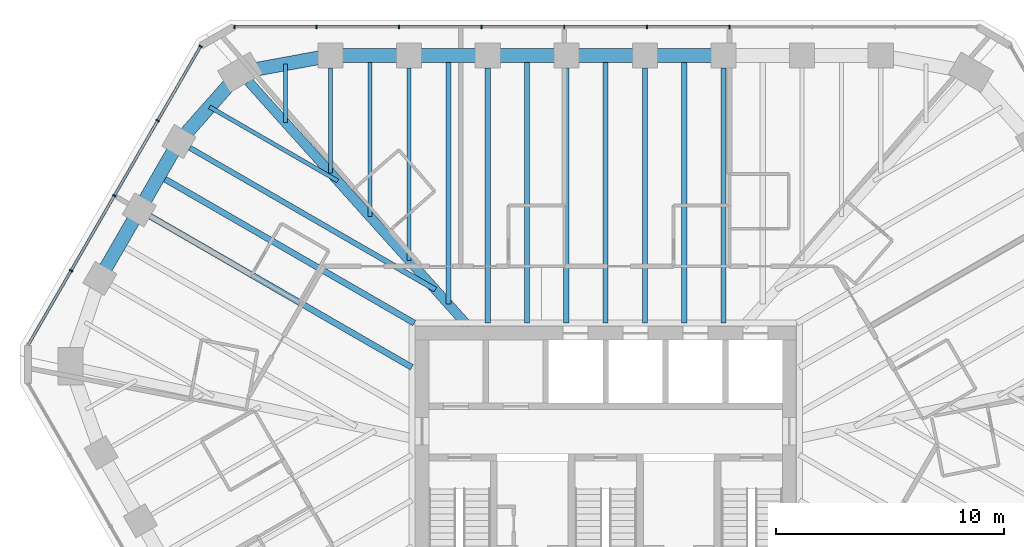
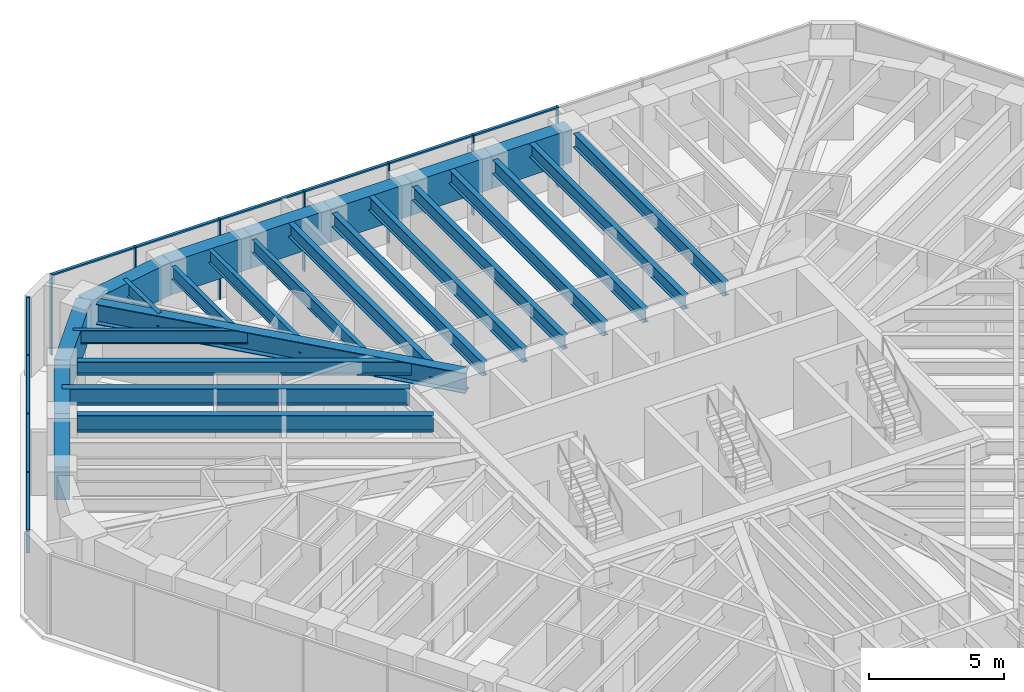
# One storey, part 6 of 14: 26 beams, 21 members, 2 elements without a shape of their own.
"""IFC4 building model written with IfcOpenShell, lengths in metres."""

from ifc_helpers import new_model, si_unit, direction, frame, origin, origin_2d, place, context, subcontext, project, spatial, rectangle, i_section, extrude, material, material_profile, profile_set, type_object, element, aggregate, save


model = new_model("IFC4")

# Units and contexts
model_context = context("Model", 3, precision=1e-05, world=origin(), true_north=direction((0.0, 1.0)))
body_context = subcontext(model_context, "Body", "Model", "MODEL_VIEW")
ifc_project = project(units=[si_unit("LENGTHUNIT", "METRE"), si_unit("AREAUNIT", "SQUARE_METRE"), si_unit("VOLUMEUNIT", "CUBIC_METRE"), si_unit("PLANEANGLEUNIT", "RADIAN"), si_unit("MASSUNIT", "GRAM", prefix="KILO")], contexts=[model_context])

# Site, building, storey
site_placement = place(None, origin())
site = spatial("IfcSite", under=ifc_project, at=site_placement, CompositionType="ELEMENT")
building_placement = place(site_placement, origin())
building = spatial("IfcBuilding", under=site, at=building_placement, Name="Sandreach Pilgrim Tower", CompositionType="ELEMENT")
storey_placement = place(building_placement, frame((0.0, 0.0, 279.800048828125)))
storey = spatial("IfcBuildingStorey", under=building, at=storey_placement, Name="L70", CompositionType="ELEMENT", Elevation=279.800048828125)

# Curtain wall, members
ifc_material_1 = material(Name="Aluminium framed curtain wall", Category="aluminium")
curtain_wall_type = type_object("IfcCurtainWallType", Name="Suite tower curtain wall", PredefinedType="NOTDEFINED", material=ifc_material_1)
curtain_wall_1_placement = place(storey_placement, origin())
curtain_wall_1 = element("IfcCurtainWall", 1, at=curtain_wall_1_placement, inside=storey, type_object=curtain_wall_type, Name="CW-4 L70 N", PredefinedType="NOTDEFINED")
ifc_material_2 = material(Name="Aluminium extrusion", Category="aluminium")
ifc_material_profile_1 = material_profile(ifc_material_2, rectangle(XDim=0.06005859375, YDim=0.159912109375, at=origin_2d()), Name="CW-4M 60X160")
ifc_profile_set_1 = profile_set([ifc_material_profile_1], Name="Aluminium extrusion")
member_type_1 = type_object("IfcMemberType", Name="CW-4 mullion", PredefinedType="MULLION", material=ifc_profile_set_1)
member_1_placement = place(storey_placement, frame((-16.268310546875, 19.826416015625, 0.0), z_axis=(0.0, 0.0, 1.0), x_axis=(1.0, 0.0, 0.0)))
member_1 = element("IfcMember", 2, at=member_1_placement, type_object=member_type_1, Name="CW-4 mullion 1", PredefinedType="MULLION", context=body_context, shape_type="SweptSolid", body=[
    extrude(rectangle(XDim=0.06005859375, YDim=0.159912109375, at=origin_2d()), origin(), (0.0, 0.0, 1.0), 3.639892578125),
])
member_2_placement = place(storey_placement, frame((-12.676513671875, 19.826416015625, 0.0), z_axis=(0.0, 0.0, 1.0), x_axis=(1.0, 0.0, 0.0)))
member_2 = element("IfcMember", 3, at=member_2_placement, type_object=member_type_1, Name="CW-4 mullion 2", PredefinedType="MULLION", context=body_context, shape_type="SweptSolid", body=[
    extrude(rectangle(XDim=0.06005859375, YDim=0.159912109375, at=origin_2d()), origin(), (0.0, 0.0, 1.0), 3.639892578125),
])
member_3_placement = place(storey_placement, frame((-9.0546875, 19.826416015625, 0.0), z_axis=(0.0, 0.0, 1.0), x_axis=(1.0, 0.0, 0.0)))
member_3 = element("IfcMember", 4, at=member_3_placement, type_object=member_type_1, Name="CW-4 mullion 3", PredefinedType="MULLION", context=body_context, shape_type="SweptSolid", body=[
    extrude(rectangle(XDim=0.06005859375, YDim=0.159912109375, at=origin_2d()), origin(), (0.0, 0.0, 1.0), 3.639892578125),
])
member_4_placement = place(storey_placement, frame((-5.432861328125, 19.826416015625, 0.0), z_axis=(0.0, 0.0, 1.0), x_axis=(1.0, 0.0, 0.0)))
member_4 = element("IfcMember", 5, at=member_4_placement, type_object=member_type_1, Name="CW-4 mullion 4", PredefinedType="MULLION", context=body_context, shape_type="SweptSolid", body=[
    extrude(rectangle(XDim=0.06005859375, YDim=0.159912109375, at=origin_2d()), origin(), (0.0, 0.0, 1.0), 3.639892578125),
])
member_5_placement = place(storey_placement, frame((-1.81103515625, 19.826416015625, 0.0), z_axis=(0.0, 0.0, 1.0), x_axis=(1.0, 0.0, 0.0)))
member_5 = element("IfcMember", 6, at=member_5_placement, type_object=member_type_1, Name="CW-4 mullion 5", PredefinedType="MULLION", context=body_context, shape_type="SweptSolid", body=[
    extrude(rectangle(XDim=0.06005859375, YDim=0.159912109375, at=origin_2d()), origin(), (0.0, 0.0, 1.0), 3.639892578125),
])
member_6_placement = place(storey_placement, frame((1.81103515625, 19.826416015625, 0.0), z_axis=(0.0, 0.0, 1.0), x_axis=(1.0, 0.0, 0.0)))
member_6 = element("IfcMember", 7, at=member_6_placement, type_object=member_type_1, Name="CW-4 mullion 6", PredefinedType="MULLION", context=body_context, shape_type="SweptSolid", body=[
    extrude(rectangle(XDim=0.06005859375, YDim=0.159912109375, at=origin_2d()), origin(), (0.0, 0.0, 1.0), 3.639892578125),
])
member_7_placement = place(storey_placement, frame((5.432861328125, 19.826416015625, 0.0), z_axis=(0.0, 0.0, 1.0), x_axis=(1.0, 0.0, 0.0)))
member_7 = element("IfcMember", 8, at=member_7_placement, type_object=member_type_1, Name="CW-4 mullion 7", PredefinedType="MULLION", context=body_context, shape_type="SweptSolid", body=[
    extrude(rectangle(XDim=0.06005859375, YDim=0.159912109375, at=origin_2d()), origin(), (0.0, 0.0, 1.0), 3.639892578125),
])

curtain_wall_2_placement = place(storey_placement, origin())
curtain_wall_2 = element("IfcCurtainWall", 9, at=curtain_wall_2_placement, inside=storey, type_object=curtain_wall_type, Name="CW-4 L70 NW", PredefinedType="NOTDEFINED")
member_8_placement = place(storey_placement, frame((-23.423583984375, 9.145263671875, 0.0), z_axis=(0.0, 0.0, 1.0), x_axis=(0.5, 0.866025403784, 0.0)))
member_8 = element("IfcMember", 10, at=member_8_placement, type_object=member_type_1, Name="CW-4 mullion 2", PredefinedType="MULLION", context=body_context, shape_type="SweptSolid", body=[
    extrude(rectangle(XDim=0.06005859375, YDim=0.159912109375, at=origin_2d()), origin(), (0.0, 0.0, 1.0), 3.639892578125),
])
member_9_placement = place(storey_placement, frame((-21.527587890625, 12.428955078125, 0.0), z_axis=(0.0, 0.0, 1.0), x_axis=(0.5, 0.866025403784, 0.0)))
member_9 = element("IfcMember", 11, at=member_9_placement, type_object=member_type_1, Name="CW-4 mullion 3", PredefinedType="MULLION", context=body_context, shape_type="SweptSolid", body=[
    extrude(rectangle(XDim=0.06005859375, YDim=0.159912109375, at=origin_2d()), origin(), (0.0, 0.0, 1.0), 3.639892578125),
])
member_10_placement = place(storey_placement, frame((-19.6318359375, 15.712646484375, 0.0), z_axis=(0.0, 0.0, 1.0), x_axis=(0.5, 0.866025403784, 0.0)))
member_10 = element("IfcMember", 12, at=member_10_placement, type_object=member_type_1, Name="CW-4 mullion 4", PredefinedType="MULLION", context=body_context, shape_type="SweptSolid", body=[
    extrude(rectangle(XDim=0.06005859375, YDim=0.159912109375, at=origin_2d()), origin(), (0.0, 0.0, 1.0), 3.639892578125),
])
member_11_placement = place(storey_placement, frame((-17.7509765625, 18.970458984375, 0.0), z_axis=(0.0, 0.0, 1.0), x_axis=(0.5, 0.866025403784, 0.0)))
member_11 = element("IfcMember", 13, at=member_11_placement, type_object=member_type_1, Name="CW-4 mullion 5", PredefinedType="MULLION", context=body_context, shape_type="SweptSolid", body=[
    extrude(rectangle(XDim=0.06005859375, YDim=0.159912109375, at=origin_2d()), origin(), (0.0, 0.0, 1.0), 3.639892578125),
])

# Member
ifc_material_3 = material(Name="Aluminium extrusion", Category="aluminium")
ifc_material_profile_2 = material_profile(ifc_material_3, rectangle(XDim=0.1201171875, YDim=0.070068359375, at=origin_2d()), Name="CW-4T 120X70")
ifc_profile_set_2 = profile_set([ifc_material_profile_2], Name="Aluminium extrusion")
member_type_2 = type_object("IfcMemberType", Name="CW-4 transom", PredefinedType="USERDEFINED", material=ifc_profile_set_2)
member_12_placement = place(storey_placement, frame((-16.23828125, 19.826416015625, 3.60498046875), z_axis=(1.0, 0.0, 0.0), x_axis=(0.0, 1.0, 0.0)))
member_12 = element("IfcMember", 14, at=member_12_placement, type_object=member_type_2, Name="CW-4 head transom 1", ObjectType="TRANSOM", PredefinedType="USERDEFINED", context=body_context, shape_type="SweptSolid", body=[
    extrude(rectangle(XDim=0.1201171875, YDim=0.070068359375, at=origin_2d()), origin(), (0.0, 0.0, 1.0), 3.53173828125),
])

member_13_placement = place(storey_placement, frame((-12.646484375, 19.826416015625, 3.60498046875), z_axis=(1.0, 0.0, 0.0), x_axis=(0.0, 1.0, 0.0)))
member_13 = element("IfcMember", 15, at=member_13_placement, type_object=member_type_2, Name="CW-4 head transom 2", ObjectType="TRANSOM", PredefinedType="USERDEFINED", context=body_context, shape_type="SweptSolid", body=[
    extrude(rectangle(XDim=0.1201171875, YDim=0.070068359375, at=origin_2d()), origin(), (0.0, 0.0, 1.0), 3.561767578125),
])

member_14_placement = place(storey_placement, frame((-9.024658203125, 19.826416015625, 3.60498046875), z_axis=(1.0, 0.0, 0.0), x_axis=(0.0, 1.0, 0.0)))
member_14 = element("IfcMember", 16, at=member_14_placement, type_object=member_type_2, Name="CW-4 head transom 3", ObjectType="TRANSOM", PredefinedType="USERDEFINED", context=body_context, shape_type="SweptSolid", body=[
    extrude(rectangle(XDim=0.1201171875, YDim=0.070068359375, at=origin_2d()), origin(), (0.0, 0.0, 1.0), 3.561767578125),
])

member_15_placement = place(storey_placement, frame((-5.40283203125, 19.826416015625, 3.60498046875), z_axis=(1.0, 0.0, 0.0), x_axis=(0.0, 1.0, 0.0)))
member_15 = element("IfcMember", 17, at=member_15_placement, type_object=member_type_2, Name="CW-4 head transom 4", ObjectType="TRANSOM", PredefinedType="USERDEFINED", context=body_context, shape_type="SweptSolid", body=[
    extrude(rectangle(XDim=0.1201171875, YDim=0.070068359375, at=origin_2d()), origin(), (0.0, 0.0, 1.0), 3.56201171875),
])

member_16_placement = place(storey_placement, frame((-1.781005859375, 19.826416015625, 3.60498046875), z_axis=(1.0, 0.0, 0.0), x_axis=(0.0, 1.0, 0.0)))
member_16 = element("IfcMember", 18, at=member_16_placement, type_object=member_type_2, Name="CW-4 head transom 5", ObjectType="TRANSOM", PredefinedType="USERDEFINED", context=body_context, shape_type="SweptSolid", body=[
    extrude(rectangle(XDim=0.1201171875, YDim=0.070068359375, at=origin_2d()), origin(), (0.0, 0.0, 1.0), 3.56201171875),
])

member_17_placement = place(storey_placement, frame((1.8408203125, 19.826416015625, 3.60498046875), z_axis=(1.0, 0.0, 0.0), x_axis=(0.0, 1.0, 0.0)))
member_17 = element("IfcMember", 19, at=member_17_placement, type_object=member_type_2, Name="CW-4 head transom 6", ObjectType="TRANSOM", PredefinedType="USERDEFINED", context=body_context, shape_type="SweptSolid", body=[
    extrude(rectangle(XDim=0.1201171875, YDim=0.070068359375, at=origin_2d()), origin(), (0.0, 0.0, 1.0), 3.56201171875),
])

aggregate(curtain_wall_1, [member_1, member_2, member_3, member_4, member_5, member_6, member_7, member_12, member_13, member_14, member_15, member_16, member_17])

member_18_placement = place(storey_placement, frame((-25.289306640625, 5.91357421875, 3.60498046875), z_axis=(0.499990780478, 0.866030726613, 0.0), x_axis=(-0.866030726613, 0.499990780478, 0.0)))
member_18 = element("IfcMember", 20, at=member_18_placement, type_object=member_type_2, Name="CW-4 head transom 1", ObjectType="TRANSOM", PredefinedType="USERDEFINED", context=body_context, shape_type="SweptSolid", body=[
    extrude(rectangle(XDim=0.1201171875, YDim=0.070068359375, at=origin_2d()), origin(), (0.0, 0.0, 1.0), 3.70166015625),
])

member_19_placement = place(storey_placement, frame((-23.408447265625, 9.17138671875, 3.60498046875), z_axis=(0.499981083104, 0.866036325184, 0.0), x_axis=(-0.866036325184, 0.499981083104, 0.0)))
member_19 = element("IfcMember", 21, at=member_19_placement, type_object=member_type_2, Name="CW-4 head transom 2", ObjectType="TRANSOM", PredefinedType="USERDEFINED", context=body_context, shape_type="SweptSolid", body=[
    extrude(rectangle(XDim=0.1201171875, YDim=0.070068359375, at=origin_2d()), origin(), (0.0, 0.0, 1.0), 3.731689453125),
])

member_20_placement = place(storey_placement, frame((-21.5126953125, 12.455078125, 3.60498046875), z_axis=(0.500030151002, 0.866007995396, 0.0), x_axis=(-0.866007995396, 0.500030151002, 0.0)))
member_20 = element("IfcMember", 22, at=member_20_placement, type_object=member_type_2, Name="CW-4 head transom 3", ObjectType="TRANSOM", PredefinedType="USERDEFINED", context=body_context, shape_type="SweptSolid", body=[
    extrude(rectangle(XDim=0.1201171875, YDim=0.070068359375, at=origin_2d()), origin(), (0.0, 0.0, 1.0), 3.731689453125),
])

member_21_placement = place(storey_placement, frame((-19.616943359375, 15.73876953125, 3.60498046875), z_axis=(0.499990780478, 0.866030726613, 0.0), x_axis=(-0.866030726613, 0.499990780478, 0.0)))
member_21 = element("IfcMember", 23, at=member_21_placement, type_object=member_type_2, Name="CW-4 head transom 4", ObjectType="TRANSOM", PredefinedType="USERDEFINED", context=body_context, shape_type="SweptSolid", body=[
    extrude(rectangle(XDim=0.1201171875, YDim=0.070068359375, at=origin_2d()), origin(), (0.0, 0.0, 1.0), 3.70166015625),
])

aggregate(curtain_wall_2, [member_8, member_9, member_10, member_11, member_18, member_19, member_20, member_21])

# Beams
ifc_material_4 = material(Name="Steel ASTM A992 Grade 50", Category="steel")
ifc_material_profile_3 = material_profile(ifc_material_4, i_section(OverallWidth=0.419189453125, OverallDepth=0.927001953125, WebThickness=0.019287109375, FlangeThickness=0.031982421875, at=origin_2d()), Name="W36X231")
ifc_profile_set_3 = profile_set([ifc_material_profile_3], Name="Steel ASTM A992 Grade 50")
beam_type_1 = type_object("IfcBeamType", Name="Corner girder W36X231", PredefinedType="BEAM", material=ifc_profile_set_3)
beam_1_placement = place(storey_placement, frame((-15.649169921875, 17.427978515625, 3.176513671875), z_axis=(0.668114851597, -0.74405815974, 0.0), x_axis=(0.74405815974, 0.668114851597, 0.0)))
element("IfcBeam", 24, at=beam_1_placement, inside=storey, type_object=beam_type_1, Name="BM L70 CG39", PredefinedType="BEAM", context=body_context, shape_type="SweptSolid", body=[
    extrude(i_section(OverallWidth=0.419189453125, OverallDepth=0.927001953125, WebThickness=0.019287109375, FlangeThickness=0.031982421875, at=origin_2d()), origin(), (0.0, 0.0, 1.0), 14.418212890625),
])
ifc_material_5 = material(Name="Steel ASTM A992 Grade 50", Category="steel")
ifc_material_profile_4 = material_profile(ifc_material_5, i_section(OverallWidth=0.1787109375, OverallDepth=0.60205078125, WebThickness=0.010986328125, FlangeThickness=0.014892578125, at=origin_2d()), Name="W24X62")
ifc_profile_set_4 = profile_set([ifc_material_profile_4], Name="Steel ASTM A992 Grade 50")
beam_type_2 = type_object("IfcBeamType", Name="Floor beam W24X62", PredefinedType="BEAM", material=ifc_profile_set_4)
beam_2_placement = place(storey_placement, frame((-12.0576171875, 18.016357421875, 3.3388671875), z_axis=(0.0, -1.0, 0.0), x_axis=(1.0, 0.0, 0.0)))
element("IfcBeam", 25, at=beam_2_placement, inside=storey, type_object=beam_type_2, Name="BM L70 F01", PredefinedType="BEAM", context=body_context, shape_type="SweptSolid", body=[
    extrude(i_section(OverallWidth=0.1787109375, OverallDepth=0.60205078125, WebThickness=0.010986328125, FlangeThickness=0.014892578125, at=origin_2d()), origin(), (0.0, 0.0, 1.0), 4.58837890625),
])
beam_3_placement = place(storey_placement, frame((-8.612548828125, 18.016357421875, 3.3388671875), z_axis=(0.0, -1.0, 0.0), x_axis=(1.0, 0.0, 0.0)))
element("IfcBeam", 26, at=beam_3_placement, inside=storey, type_object=beam_type_2, Name="BM L70 F02", PredefinedType="BEAM", context=body_context, shape_type="SweptSolid", body=[
    extrude(i_section(OverallWidth=0.1787109375, OverallDepth=0.60205078125, WebThickness=0.010986328125, FlangeThickness=0.014892578125, at=origin_2d()), origin(), (0.0, 0.0, 1.0), 8.4248046875),
])
beam_4_placement = place(storey_placement, frame((-10.3349609375, 18.56640625, 3.3388671875), z_axis=(0.0, -1.0, 0.0), x_axis=(1.0, 0.0, 0.0)))
element("IfcBeam", 27, at=beam_4_placement, inside=storey, type_object=beam_type_2, Name="BM L70 FM01", PredefinedType="BEAM", context=body_context, shape_type="SweptSolid", body=[
    extrude(i_section(OverallWidth=0.1787109375, OverallDepth=0.60205078125, WebThickness=0.010986328125, FlangeThickness=0.014892578125, at=origin_2d()), origin(), (0.0, 0.0, 1.0), 7.056640625),
])
beam_5_placement = place(storey_placement, frame((-17.360107421875, 16.31884765625, 3.3388671875), z_axis=(0.866023980233, -0.500002465655, 0.0), x_axis=(0.500002465655, 0.866023980233, 0.0)))
element("IfcBeam", 28, at=beam_5_placement, inside=storey, type_object=beam_type_2, Name="BM L70 FM38", PredefinedType="BEAM", context=body_context, shape_type="SweptSolid", body=[
    extrude(i_section(OverallWidth=0.1787109375, OverallDepth=0.60205078125, WebThickness=0.010986328125, FlangeThickness=0.014892578125, at=origin_2d()), origin(), (0.0, 0.0, 1.0), 6.49072265625),
])
beam_6_placement = place(storey_placement, frame((-14.037109375, 18.201904296875, 3.3388671875), z_axis=(0.0, -1.0, 0.0), x_axis=(1.0, 0.0, 0.0)))
element("IfcBeam", 29, at=beam_6_placement, inside=storey, type_object=beam_type_2, Name="BM L70 FM39", PredefinedType="BEAM", context=body_context, shape_type="SweptSolid", body=[
    extrude(i_section(OverallWidth=0.1787109375, OverallDepth=0.60205078125, WebThickness=0.010986328125, FlangeThickness=0.014892578125, at=origin_2d()), origin(), (0.0, 0.0, 1.0), 2.5693359375),
])
ifc_material_6 = material(Name="Steel ASTM A992 Grade 50", Category="steel")
ifc_material_profile_5 = material_profile(ifc_material_6, i_section(OverallWidth=0.23046875, OverallDepth=0.6171875, WebThickness=0.01318359375, FlangeThickness=0.022216796875, at=origin_2d()), Name="W24X94")
ifc_profile_set_5 = profile_set([ifc_material_profile_5], Name="Steel ASTM A992 Grade 50")
beam_type_3 = type_object("IfcBeamType", Name="Floor beam W24X94", PredefinedType="BEAM", material=ifc_profile_set_5)
for number, where, z_axis, x_axis, name in (
    (30, (-5.16748046875, 18.016357421875, 3.331298828125), (0.0, -1.0, 0.0), (1.0, 0.0, 0.0), "BM L70 F03"),
    (31, (-1.722412109375, 18.016357421875, 3.331298828125), (0.0, -1.0, 0.0), (1.0, 0.0, 0.0), "BM L70 F04"),
    (32, (1.722412109375, 18.016357421875, 3.331298828125), (0.0, -1.0, 0.0), (1.0, 0.0, 0.0), "BM L70 F05"),
    (33, (5.16748046875, 18.016357421875, 3.331298828125), (0.0, -1.0, 0.0), (1.0, 0.0, 0.0), "BM L70 F06"),
):
    element("IfcBeam", number, at=place(storey_placement, frame(where, z_axis=z_axis, x_axis=x_axis)), inside=storey, type_object=beam_type_3, Name=name, PredefinedType="BEAM", context=body_context, shape_type="SweptSolid", body=[
        extrude(i_section(OverallWidth=0.23046875, OverallDepth=0.6171875, WebThickness=0.01318359375, FlangeThickness=0.022216796875, at=origin_2d()), origin(), (0.0, 0.0, 1.0), 11.173095703125),
    ])
beam_7_placement = place(storey_placement, frame((-18.227294921875, 14.525390625, 3.331298828125), z_axis=(0.866020427415, -0.500008619226, 0.0), x_axis=(0.500008619226, 0.866020427415, 0.0)))
element("IfcBeam", 34, at=beam_7_placement, inside=storey, type_object=beam_type_3, Name="BM L70 F38", PredefinedType="BEAM", context=body_context, shape_type="SweptSolid", body=[
    extrude(i_section(OverallWidth=0.23046875, OverallDepth=0.6171875, WebThickness=0.01318359375, FlangeThickness=0.022216796875, at=origin_2d()), origin(), (0.0, 0.0, 1.0), 12.431396484375),
])
beam_8_placement = place(storey_placement, frame((-6.89013671875, 18.56640625, 3.331298828125), z_axis=(0.0, -1.0, 0.0), x_axis=(1.0, 0.0, 0.0)))
element("IfcBeam", 35, at=beam_8_placement, inside=storey, type_object=beam_type_3, Name="BM L70 FM02", PredefinedType="BEAM", context=body_context, shape_type="SweptSolid", body=[
    extrude(i_section(OverallWidth=0.23046875, OverallDepth=0.6171875, WebThickness=0.01318359375, FlangeThickness=0.022216796875, at=origin_2d()), origin(), (0.0, 0.0, 1.0), 10.893310546875),
])
for number, where, z_axis, x_axis, name in (
    (36, (-3.445068359375, 18.56640625, 3.331298828125), (0.0, -1.0, 0.0), (1.0, 0.0, 0.0), "BM L70 FM03"),
    (37, (0.0, 18.56640625, 3.331298828125), (0.0, -1.0, 0.0), (1.0, 0.0, 0.0), "BM L70 FM04"),
    (38, (3.445068359375, 18.56640625, 3.331298828125), (0.0, -1.0, 0.0), (1.0, 0.0, 0.0), "BM L70 FM05"),
):
    element("IfcBeam", number, at=place(storey_placement, frame(where, z_axis=z_axis, x_axis=x_axis)), inside=storey, type_object=beam_type_3, Name=name, PredefinedType="BEAM", context=body_context, shape_type="SweptSolid", body=[
        extrude(i_section(OverallWidth=0.23046875, OverallDepth=0.6171875, WebThickness=0.01318359375, FlangeThickness=0.022216796875, at=origin_2d()), origin(), (0.0, 0.0, 1.0), 11.72314453125),
    ])
ifc_material_7 = material(Name="Steel ASTM A992 Grade 50", Category="steel")
ifc_material_profile_6 = material_profile(ifc_material_7, i_section(OverallWidth=0.2666015625, OverallDepth=0.761962890625, WebThickness=0.014404296875, FlangeThickness=0.021484375, at=origin_2d()), Name="W30X116")
ifc_profile_set_6 = profile_set([ifc_material_profile_6], Name="Steel ASTM A992 Grade 50")
beam_type_4 = type_object("IfcBeamType", Name="Floor beam W30X116", PredefinedType="BEAM", material=ifc_profile_set_6)
beam_9_placement = place(storey_placement, frame((-19.960205078125, 11.52392578125, 3.259033203125), z_axis=(0.86602530353, -0.500000173646, 0.0), x_axis=(0.500000173646, 0.86602530353, 0.0)))
element("IfcBeam", 39, at=beam_9_placement, inside=storey, type_object=beam_type_4, Name="BM L70 F37", PredefinedType="BEAM", context=body_context, shape_type="SweptSolid", body=[
    extrude(i_section(OverallWidth=0.2666015625, OverallDepth=0.761962890625, WebThickness=0.014404296875, FlangeThickness=0.021484375, at=origin_2d()), origin(), (0.0, 0.0, 1.0), 13.24072265625),
])
beam_10_placement = place(storey_placement, frame((-19.570068359375, 13.299560546875, 3.259033203125), z_axis=(0.866025008595, -0.500000684488, 0.0), x_axis=(0.500000684488, 0.866025008595, 0.0)))
element("IfcBeam", 40, at=beam_10_placement, inside=storey, type_object=beam_type_4, Name="BM L70 FM37", PredefinedType="BEAM", context=body_context, shape_type="SweptSolid", body=[
    extrude(i_section(OverallWidth=0.2666015625, OverallDepth=0.761962890625, WebThickness=0.014404296875, FlangeThickness=0.021484375, at=origin_2d()), origin(), (0.0, 0.0, 1.0), 12.91259765625),
])
ifc_material_8 = material(Name="Concrete 10000 psi", Category="concrete")
ifc_material_profile_7 = material_profile(ifc_material_8, rectangle(XDim=0.60009765625, YDim=1.5, at=origin_2d()), Name="RC600X1500")
ifc_profile_set_7 = profile_set([ifc_material_profile_7], Name="Concrete 10000 psi")
beam_type_5 = type_object("IfcBeamType", Name="Spandrel beam RC600X1500", PredefinedType="SPANDREL", material=ifc_profile_set_7)
for number, where, z_axis, x_axis, name in (
    (41, (-12.0576171875, 18.56640625, 2.889892578125), (1.0, 0.0, 0.0), (0.0, 1.0, 0.0), "BM L70 SP01"),
    (42, (-8.612548828125, 18.56640625, 2.889892578125), (1.0, 0.0, 0.0), (0.0, 1.0, 0.0), "BM L70 SP02"),
    (43, (-5.16748046875, 18.56640625, 2.889892578125), (1.0, 0.0, 0.0), (0.0, 1.0, 0.0), "BM L70 SP03"),
):
    element("IfcBeam", number, at=place(storey_placement, frame(where, z_axis=z_axis, x_axis=x_axis)), inside=storey, type_object=beam_type_5, Name=name, PredefinedType="SPANDREL", context=body_context, shape_type="SweptSolid", body=[
        extrude(rectangle(XDim=0.60009765625, YDim=1.5, at=origin_2d()), origin(), (0.0, 0.0, 1.0), 3.445068359375),
    ])
beam_11_placement = place(storey_placement, frame((-1.722412109375, 18.56640625, 2.889892578125), z_axis=(1.0, 0.0, 0.0), x_axis=(0.0, 1.0, 0.0)))
element("IfcBeam", 44, at=beam_11_placement, inside=storey, type_object=beam_type_5, Name="BM L70 SP04", PredefinedType="SPANDREL", context=body_context, shape_type="SweptSolid", body=[
    extrude(rectangle(XDim=0.60009765625, YDim=1.5, at=origin_2d()), origin(), (0.0, 0.0, 1.0), 3.44482421875),
])
beam_12_placement = place(storey_placement, frame((1.722412109375, 18.56640625, 2.889892578125), z_axis=(1.0, 0.0, 0.0), x_axis=(0.0, 1.0, 0.0)))
element("IfcBeam", 45, at=beam_12_placement, inside=storey, type_object=beam_type_5, Name="BM L70 SP05", PredefinedType="SPANDREL", context=body_context, shape_type="SweptSolid", body=[
    extrude(rectangle(XDim=0.60009765625, YDim=1.5, at=origin_2d()), origin(), (0.0, 0.0, 1.0), 3.445068359375),
])
for number, where, z_axis, x_axis, name in (
    (46, (-22.169189453125, 8.7978515625, 2.889892578125), (0.499980616072, 0.866036594811, 0.0), (-0.866036594811, 0.499980616072, 0.0), "BM L70 SP36"),
    (47, (-20.4365234375, 11.799072265625, 2.889892578125), (0.500033451825, 0.866006089503, 0.0), (-0.866006089503, 0.500033451825, 0.0), "BM L70 SP37"),
):
    element("IfcBeam", number, at=place(storey_placement, frame(where, z_axis=z_axis, x_axis=x_axis)), inside=storey, type_object=beam_type_5, Name=name, PredefinedType="SPANDREL", context=body_context, shape_type="SweptSolid", body=[
        extrude(rectangle(XDim=0.60009765625, YDim=1.5, at=origin_2d()), origin(), (0.0, 0.0, 1.0), 3.465576171875),
    ])
beam_13_placement = place(storey_placement, frame((-18.70361328125, 14.80029296875, 2.889892578125), z_axis=(0.662650525414, 0.748928755736, 0.0), x_axis=(-0.748928755736, 0.662650525414, 0.0)))
element("IfcBeam", 48, at=beam_13_placement, inside=storey, type_object=beam_type_5, Name="BM L70 SP38", PredefinedType="SPANDREL", context=body_context, shape_type="SweptSolid", body=[
    extrude(rectangle(XDim=0.60009765625, YDim=1.5, at=origin_2d()), origin(), (0.0, 0.0, 1.0), 4.054931640625),
])
beam_14_placement = place(storey_placement, frame((-16.0166015625, 17.837158203125, 2.889892578125), z_axis=(0.983454894629, 0.181153167875, 0.0), x_axis=(-0.181153167875, 0.983454894629, 0.0)))
element("IfcBeam", 49, at=beam_14_placement, inside=storey, type_object=beam_type_5, Name="BM L70 SP39", PredefinedType="SPANDREL", context=body_context, shape_type="SweptSolid", body=[
    extrude(rectangle(XDim=0.60009765625, YDim=1.5, at=origin_2d()), origin(), (0.0, 0.0, 1.0), 4.025634765625),
])

save(model, "model.ifc")
